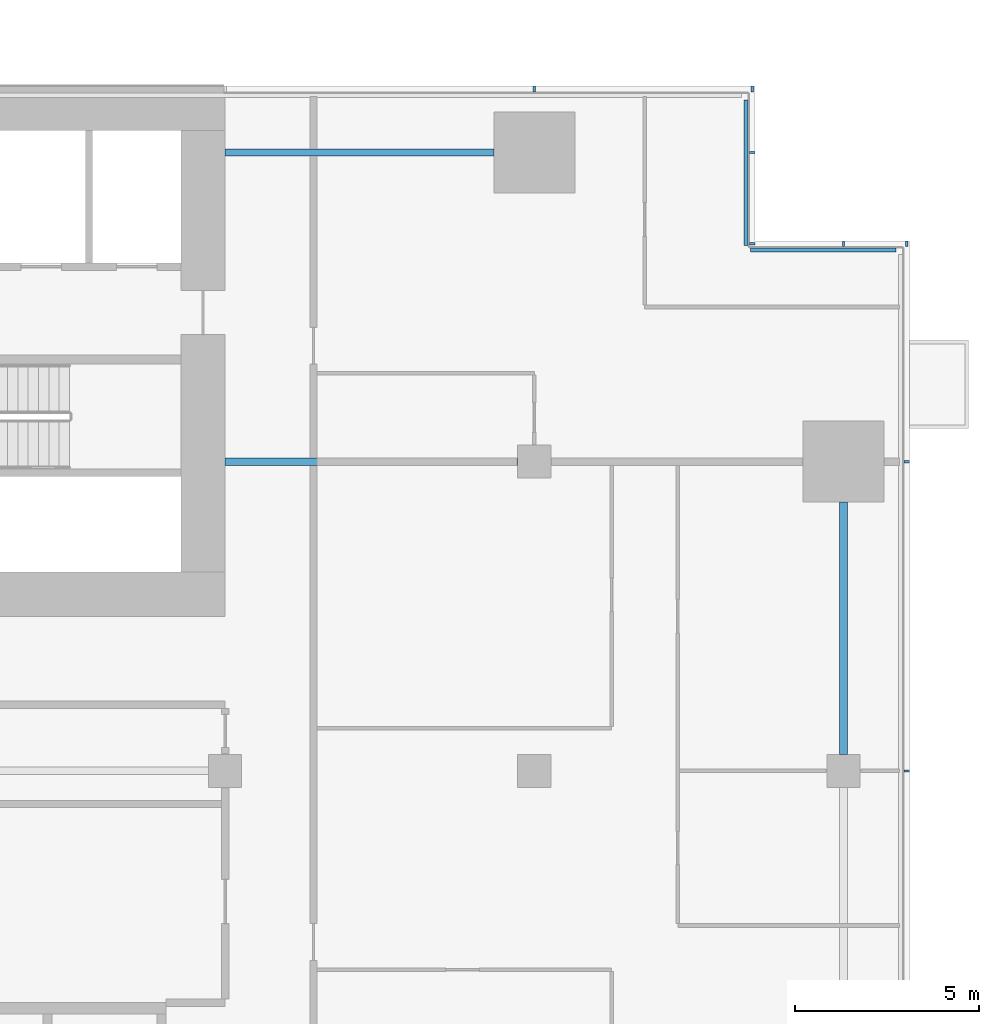
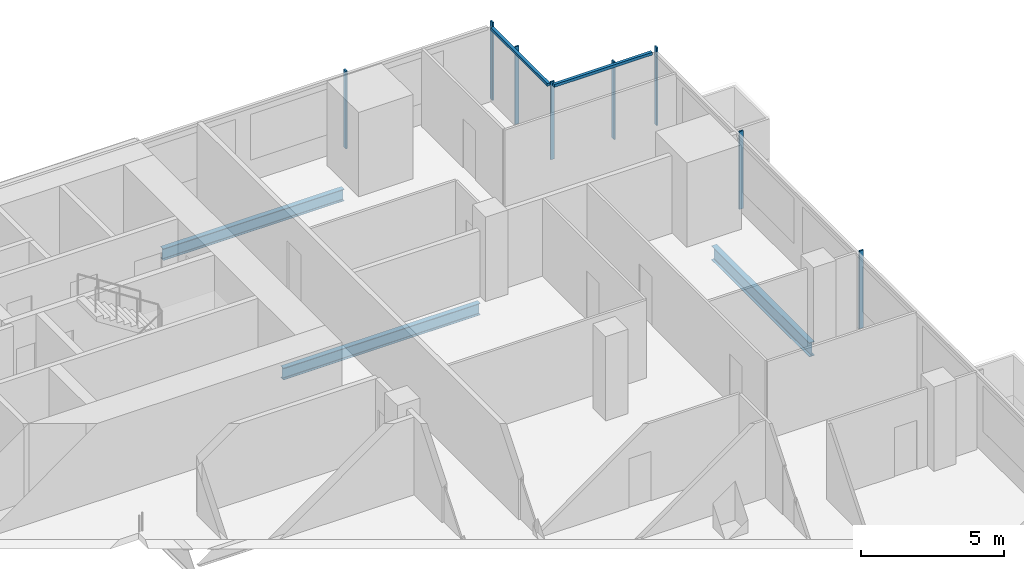
# One storey, part 13 of 27: 10 members, 3 beams, 4 elements without a shape of their own.
"""IFC4 building model written with IfcOpenShell, lengths in metres."""

from ifc_helpers import new_model, si_unit, direction, frame, origin, origin_2d, place, context, subcontext, project, spatial, rectangle, i_section, extrude, material, material_profile, profile_set, type_object, element, aggregate, save


model = new_model("IFC4")

# Units and contexts
model_context = context("Model", 3, precision=1e-05, world=origin(), true_north=direction((0.0, 1.0)))
body_context = subcontext(model_context, "Body", "Model", "MODEL_VIEW")
ifc_project = project(units=[si_unit("LENGTHUNIT", "METRE"), si_unit("AREAUNIT", "SQUARE_METRE"), si_unit("VOLUMEUNIT", "CUBIC_METRE"), si_unit("PLANEANGLEUNIT", "RADIAN"), si_unit("MASSUNIT", "GRAM", prefix="KILO")], contexts=[model_context])

# Site, building, storey
site_placement = place(None, origin())
site = spatial("IfcSite", under=ifc_project, at=site_placement, CompositionType="ELEMENT")
building_placement = place(site_placement, origin())
building = spatial("IfcBuilding", under=site, at=building_placement, Name="Saffron Gate Tower", CompositionType="ELEMENT")
storey_placement = place(building_placement, frame((0.0, 0.0, 66.0)))
storey = spatial("IfcBuildingStorey", under=building, at=storey_placement, Name="L15", CompositionType="ELEMENT", Elevation=66.0)

# Beams
ifc_material_1 = material(Name="Structural steel S355", Category="steel")
ifc_material_profile_1 = material_profile(ifc_material_1, i_section(OverallWidth=0.199951171875, OverallDepth=0.5, WebThickness=0.01025390625, FlangeThickness=0.01611328125, FilletRadius=0.02099609375, at=origin_2d()))
ifc_profile_set_1 = profile_set([ifc_material_profile_1], Name="Structural steel S355")
beam_type_1 = type_object("IfcBeamType", Name="B10 IPE 500", PredefinedType="BEAM", material=ifc_profile_set_1)
beam_1_placement = place(storey_placement, frame((116.550048828125, 65.39990234375, -0.530029296875), z_axis=(-1.0, 0.0, 0.0), x_axis=(0.0, -1.0, 0.0)))
element("IfcBeam", 1, at=beam_1_placement, inside=storey, type_object=beam_type_1, Name="B10 CORE TIE BEAM", PredefinedType="BEAM", context=body_context, shape_type="SweptSolid", body=[
    extrude(i_section(OverallWidth=0.199951171875, OverallDepth=0.5, WebThickness=0.01025390625, FlangeThickness=0.01611328125, FilletRadius=0.02099609375, at=origin_2d()), origin(), (0.0, 0.0, 1.0), 7.949951171875),
])
beam_2_placement = place(storey_placement, frame((115.89990234375, 73.800048828125, -0.530029296875), z_axis=(-1.0, 0.0, 0.0), x_axis=(0.0, -1.0, 0.0)))
element("IfcBeam", 2, at=beam_2_placement, inside=storey, type_object=beam_type_1, Name="B10 CORE TIE BEAM", PredefinedType="BEAM", context=body_context, shape_type="SweptSolid", body=[
    extrude(i_section(OverallWidth=0.199951171875, OverallDepth=0.5, WebThickness=0.01025390625, FlangeThickness=0.01611328125, FilletRadius=0.02099609375, at=origin_2d()), origin(), (0.0, 0.0, 1.0), 7.2998046875),
])
ifc_material_profile_2 = material_profile(ifc_material_1, i_section(OverallWidth=0.219970703125, OverallDepth=0.60009765625, WebThickness=0.011962890625, FlangeThickness=0.01904296875, FilletRadius=0.02392578125, at=origin_2d()))
ifc_profile_set_2 = profile_set([ifc_material_profile_2], Name="Structural steel S355")
beam_type_2 = type_object("IfcBeamType", Name="B16 IPE 600", PredefinedType="SPANDREL", material=ifc_profile_set_2)
beam_3_placement = place(storey_placement, frame((125.39990234375, 57.449951171875, -0.580078125), z_axis=(0.0, 1.0, 0.0), x_axis=(-1.0, 0.0, 0.0)))
element("IfcBeam", 3, at=beam_3_placement, inside=storey, type_object=beam_type_2, Name="B16 SPANDREL BEAM", PredefinedType="SPANDREL", context=body_context, shape_type="SweptSolid", body=[
    extrude(i_section(OverallWidth=0.219970703125, OverallDepth=0.60009765625, WebThickness=0.011962890625, FlangeThickness=0.01904296875, FilletRadius=0.02392578125, at=origin_2d()), origin(), (0.0, 0.0, 1.0), 6.85009765625),
])

# Curtain wall, members
ifc_material_2 = material(Name="Aluminium, bronze anodised", Category="aluminium")
curtain_wall_type_1 = type_object("IfcCurtainWallType", Name="CWS2 curtain wall side facades", PredefinedType="NOTDEFINED", material=ifc_material_2)
curtain_wall_1_placement = place(storey_placement, origin())
curtain_wall_1 = element("IfcCurtainWall", 4, at=curtain_wall_1_placement, inside=storey, type_object=curtain_wall_type_1, Name="CWS2 run 4", PredefinedType="NOTDEFINED")
ifc_material_profile_3 = material_profile(ifc_material_2, rectangle(XDim=0.159912109375, YDim=0.06005859375, at=origin_2d()))
ifc_profile_set_3 = profile_set([ifc_material_profile_3], Name="Aluminium, bronze anodised")
member_type_1 = type_object("IfcMemberType", Name="CWS2 mullion 60x160", PredefinedType="MULLION", material=ifc_profile_set_3)
member_1_placement = place(storey_placement, frame((127.1201171875, 57.0, 0.0), z_axis=(0.0, 0.0, 1.0), x_axis=(-1.0, 0.0, 0.0)))
member_1 = element("IfcMember", 5, at=member_1_placement, type_object=member_type_1, Name="CWS2 mullion 4", PredefinedType="MULLION", context=body_context, shape_type="SweptSolid", body=[
    extrude(rectangle(XDim=0.159912109375, YDim=0.06005859375, at=origin_2d()), origin(), (0.0, 0.0, 1.0), 3.320068359375),
])
member_2_placement = place(storey_placement, frame((127.1201171875, 65.39990234375, 0.0), z_axis=(0.0, 0.0, 1.0), x_axis=(-1.0, 0.0, 0.0)))
member_2 = element("IfcMember", 6, at=member_2_placement, type_object=member_type_1, Name="CWS2 mullion 5", PredefinedType="MULLION", context=body_context, shape_type="SweptSolid", body=[
    extrude(rectangle(XDim=0.159912109375, YDim=0.06005859375, at=origin_2d()), origin(), (0.0, 0.0, 1.0), 3.320068359375),
])
aggregate(curtain_wall_1, [member_1, member_2])

curtain_wall_type_2 = type_object("IfcCurtainWallType", Name="CWS3 curtain wall rear facade", PredefinedType="NOTDEFINED", material=ifc_material_2)
curtain_wall_2_placement = place(storey_placement, origin())
curtain_wall_2 = element("IfcCurtainWall", 7, at=curtain_wall_2_placement, inside=storey, type_object=curtain_wall_type_2, Name="CWS3 run 7", PredefinedType="NOTDEFINED")
ifc_material_profile_4 = material_profile(ifc_material_2, rectangle(XDim=0.159912109375, YDim=0.070068359375, at=origin_2d()))
ifc_profile_set_4 = profile_set([ifc_material_profile_4], Name="Aluminium, bronze anodised")
member_type_2 = type_object("IfcMemberType", Name="CWS3 mullion 70x160", PredefinedType="MULLION", material=ifc_profile_set_4)
member_3_placement = place(storey_placement, frame((122.919921875, 75.52001953125, 0.0), z_axis=(0.0, 0.0, 1.0), x_axis=(0.0, -1.0, 0.0)))
member_3 = element("IfcMember", 8, at=member_3_placement, type_object=member_type_2, Name="CWS3 mullion 1", PredefinedType="MULLION", context=body_context, shape_type="SweptSolid", body=[
    extrude(rectangle(XDim=0.159912109375, YDim=0.070068359375, at=origin_2d()), origin(), (0.0, 0.0, 1.0), 3.320068359375),
])
member_4_placement = place(storey_placement, frame((117.0, 75.52001953125, 0.0), z_axis=(0.0, 0.0, 1.0), x_axis=(0.0, -1.0, 0.0)))
member_4 = element("IfcMember", 9, at=member_4_placement, type_object=member_type_2, Name="CWS3 mullion 2", PredefinedType="MULLION", context=body_context, shape_type="SweptSolid", body=[
    extrude(rectangle(XDim=0.159912109375, YDim=0.070068359375, at=origin_2d()), origin(), (0.0, 0.0, 1.0), 3.320068359375),
])
aggregate(curtain_wall_2, [member_3, member_4])

# Curtain wall, member
curtain_wall_type_3 = type_object("IfcCurtainWallType", Name="CWS4 curtain wall corner returns", PredefinedType="NOTDEFINED", material=ifc_material_2)
curtain_wall_3_placement = place(storey_placement, origin())
curtain_wall_3 = element("IfcCurtainWall", 10, at=curtain_wall_3_placement, inside=storey, type_object=curtain_wall_type_3, Name="CWS4 run 5", PredefinedType="NOTDEFINED")
ifc_material_profile_5 = material_profile(ifc_material_2, rectangle(XDim=0.1201171875, YDim=0.1201171875, at=origin_2d()))
ifc_profile_set_5 = profile_set([ifc_material_profile_5], Name="Aluminium, bronze anodised")
member_type_3 = type_object("IfcMemberType", Name="CWS4 head transom", PredefinedType="USERDEFINED", material=ifc_profile_set_5)
member_5_placement = place(storey_placement, frame((126.83203125, 71.152099609375, 3.260009765625), z_axis=(-1.0, 0.0, 0.0), x_axis=(0.0, -1.0, 0.0)))
member_5 = element("IfcMember", 11, at=member_5_placement, type_object=member_type_3, Name="CWS4 head transom", ObjectType="TRANSOM", PredefinedType="USERDEFINED", context=body_context, shape_type="SweptSolid", body=[
    extrude(rectangle(XDim=0.1201171875, YDim=0.1201171875, at=origin_2d()), origin(), (0.0, 0.0, 1.0), 3.9599609375),
])

curtain_wall_4_placement = place(storey_placement, origin())
curtain_wall_4 = element("IfcCurtainWall", 12, at=curtain_wall_4_placement, inside=storey, type_object=curtain_wall_type_3, Name="CWS4 run 6", PredefinedType="NOTDEFINED")
member_6_placement = place(storey_placement, frame((122.751953125, 71.27197265625, 3.260009765625), z_axis=(0.0, 1.0, 0.0), x_axis=(-1.0, 0.0, 0.0)))
member_6 = element("IfcMember", 13, at=member_6_placement, type_object=member_type_3, Name="CWS4 head transom", ObjectType="TRANSOM", PredefinedType="USERDEFINED", context=body_context, shape_type="SweptSolid", body=[
    extrude(rectangle(XDim=0.1201171875, YDim=0.1201171875, at=origin_2d()), origin(), (0.0, 0.0, 1.0), 3.9599609375),
])

# Member
ifc_material_profile_6 = material_profile(ifc_material_2, rectangle(XDim=0.159912109375, YDim=0.06005859375, at=origin_2d()))
ifc_profile_set_6 = profile_set([ifc_material_profile_6], Name="Aluminium, bronze anodised")
member_type_4 = type_object("IfcMemberType", Name="CWS4 mullion 60x160", PredefinedType="MULLION", material=ifc_profile_set_6)
member_7_placement = place(storey_placement, frame((127.1201171875, 71.320068359375, 0.0), z_axis=(0.0, 0.0, 1.0), x_axis=(0.0, -1.0, 0.0)))
member_7 = element("IfcMember", 14, at=member_7_placement, type_object=member_type_4, Name="CWS4 mullion 1", PredefinedType="MULLION", context=body_context, shape_type="SweptSolid", body=[
    extrude(rectangle(XDim=0.159912109375, YDim=0.06005859375, at=origin_2d()), origin(), (0.0, 0.0, 1.0), 3.320068359375),
])

member_8_placement = place(storey_placement, frame((125.39990234375, 71.320068359375, 0.0), z_axis=(0.0, 0.0, 1.0), x_axis=(0.0, -1.0, 0.0)))
member_8 = element("IfcMember", 15, at=member_8_placement, type_object=member_type_4, Name="CWS4 mullion 2", PredefinedType="MULLION", context=body_context, shape_type="SweptSolid", body=[
    extrude(rectangle(XDim=0.159912109375, YDim=0.06005859375, at=origin_2d()), origin(), (0.0, 0.0, 1.0), 3.320068359375),
])

aggregate(curtain_wall_3, [member_7, member_8, member_5])

member_9_placement = place(storey_placement, frame((122.919921875, 71.320068359375, 0.0), z_axis=(0.0, 0.0, 1.0), x_axis=(-1.0, 0.0, 0.0)))
member_9 = element("IfcMember", 16, at=member_9_placement, type_object=member_type_4, Name="CWS4 mullion 1", PredefinedType="MULLION", context=body_context, shape_type="SweptSolid", body=[
    extrude(rectangle(XDim=0.159912109375, YDim=0.06005859375, at=origin_2d()), origin(), (0.0, 0.0, 1.0), 3.320068359375),
])

member_10_placement = place(storey_placement, frame((122.919921875, 73.800048828125, 0.0), z_axis=(0.0, 0.0, 1.0), x_axis=(-1.0, 0.0, 0.0)))
member_10 = element("IfcMember", 17, at=member_10_placement, type_object=member_type_4, Name="CWS4 mullion 2", PredefinedType="MULLION", context=body_context, shape_type="SweptSolid", body=[
    extrude(rectangle(XDim=0.159912109375, YDim=0.06005859375, at=origin_2d()), origin(), (0.0, 0.0, 1.0), 3.320068359375),
])

aggregate(curtain_wall_4, [member_9, member_10, member_6])

save(model, "model.ifc")
